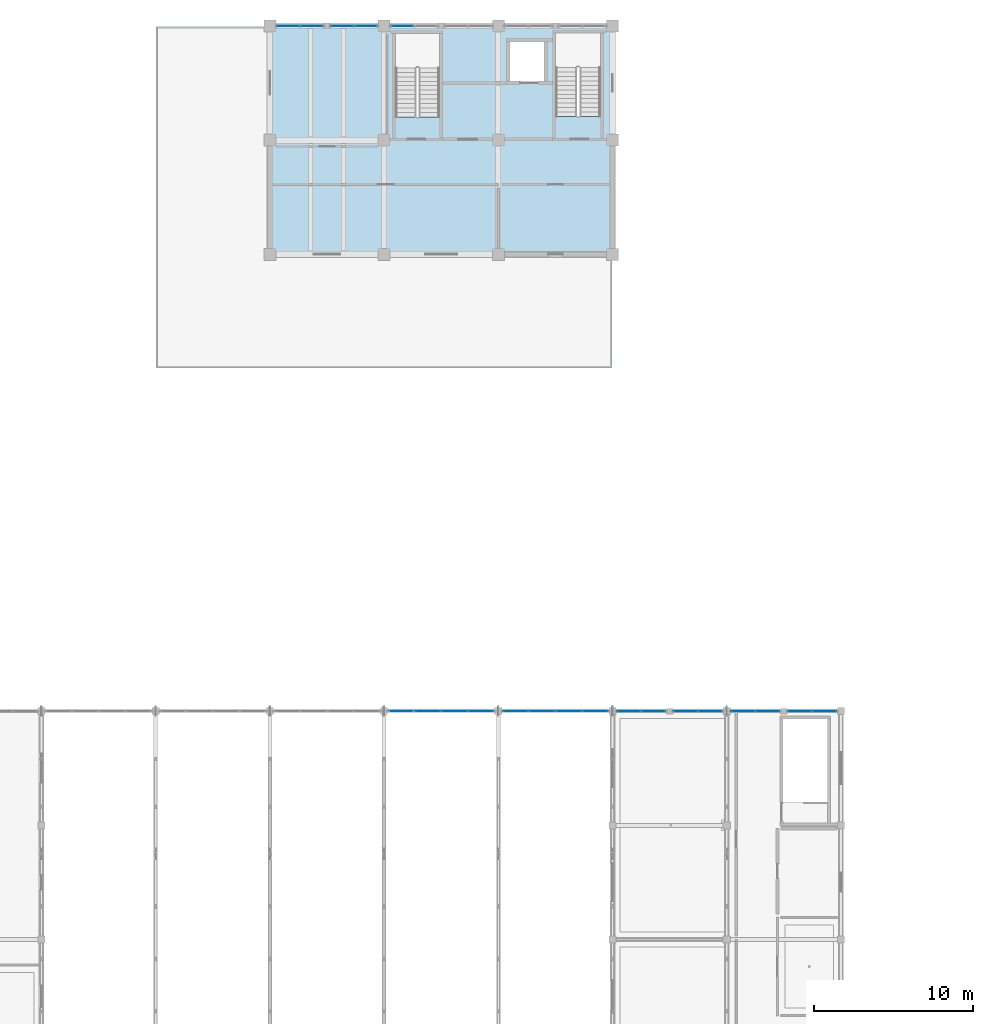
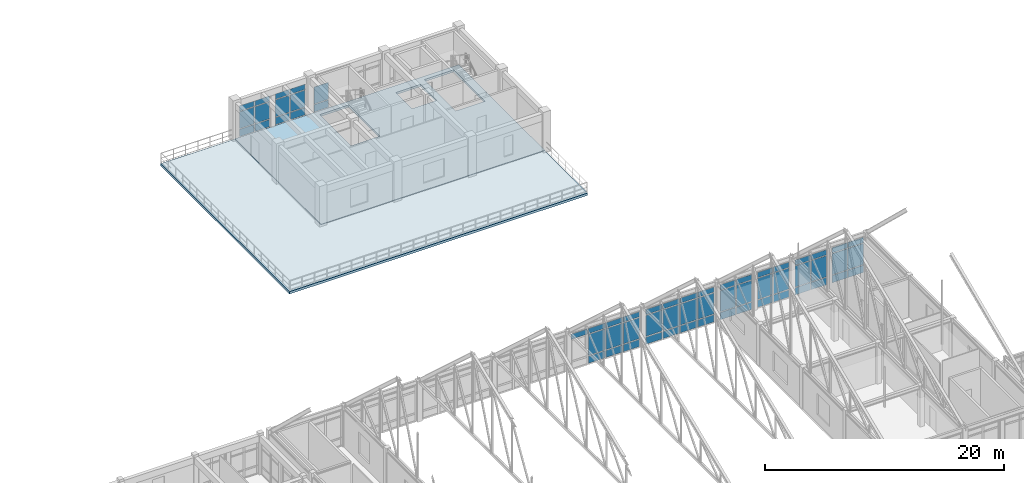
# One storey, part 84 of 136: 60 plates, 2 slabs, 9 elements without a shape of their own.
"""IFC4 building model written with IfcOpenShell, lengths in metres."""

from ifc_helpers import new_model, si_unit, direction, frame, origin, origin_2d, place, context, subcontext, project, spatial, polyline, rectangle, outline, extrude, material, layer, layer_set, type_object, element, aggregate, save


model = new_model("IFC4")

# Units and contexts
model_context = context("Model", 3, precision=1e-05, world=origin(), true_north=direction((0.0, 1.0)))
body_context = subcontext(model_context, "Body", "Model", "MODEL_VIEW")
ifc_project = project(units=[si_unit("LENGTHUNIT", "METRE"), si_unit("AREAUNIT", "SQUARE_METRE"), si_unit("VOLUMEUNIT", "CUBIC_METRE"), si_unit("PLANEANGLEUNIT", "RADIAN"), si_unit("MASSUNIT", "GRAM", prefix="KILO")], contexts=[model_context])

# Site, building, storey
site_placement = place(None, origin())
site = spatial("IfcSite", under=ifc_project, at=site_placement, CompositionType="ELEMENT")
building_placement = place(site_placement, origin())
building = spatial("IfcBuilding", under=site, at=building_placement, Name="Koriwan Promenade Central Fire Station", CompositionType="ELEMENT")
storey_placement = place(building_placement, frame((0.0, 0.0, 5.39990234375)))
storey = spatial("IfcBuildingStorey", under=building, at=storey_placement, Name="L01", CompositionType="ELEMENT", Elevation=5.39990234375)

# Curtain wall, plates
ifc_material_1 = material(Name="Aluminium EN AW-6063-T6 and low-E glazing", Category="aluminium")
ifc_layer_1 = layer(ifc_material_1, 0.159912109375, Name="Aluminium EN AW-6063-T6 and low-E glazing")
ifc_layer_set_1 = layer_set([ifc_layer_1], Name="Aluminium EN AW-6063-T6 and low-E glazing")
curtain_wall_type_1 = type_object("IfcCurtainWallType", Name="CurtainWall_93_675x372", PredefinedType="USERDEFINED", material=ifc_layer_set_1)
curtain_wall_1_placement = place(storey_placement, origin())
curtain_wall_1 = element("IfcCurtainWall", 1, at=curtain_wall_1_placement, inside=storey, type_object=curtain_wall_type_1, Name="V1 L01 unitised curtain wall 296", ObjectType="UNITISED CURTAIN WALL", PredefinedType="USERDEFINED")
ifc_material_2 = material(Name="Low-E laminated double glazing", Category="glass")
ifc_layer_2 = layer(ifc_material_2, 0.028076171875, Name="Low-E laminated double glazing")
ifc_layer_set_2 = layer_set([ifc_layer_2], Name="Low-E laminated double glazing")
plate_type_1 = type_object("IfcPlateType", Name="CWPanel_28", PredefinedType="CURTAIN_PANEL", material=ifc_layer_set_2)
plate_1_placement = place(storey_placement, frame((87.48876953125, 72.0, 3.11083984375), z_axis=(0.0, 0.0, 1.0), x_axis=(1.0, 0.0, 0.0)))
plate_1 = element("IfcPlate", 2, at=plate_1_placement, type_object=plate_type_1, Name="CW-93 panel 1.3", PredefinedType="CURTAIN_PANEL", context=body_context, shape_type="SweptSolid", body=[
    extrude(rectangle(XDim=1.5673828125, YDim=0.028076171875, at=origin_2d()), origin(), (0.0, 0.0, 1.0), 0.530029296875),
])
plate_2_placement = place(storey_placement, frame((89.15625, 72.0, 0.080078125), z_axis=(0.0, 0.0, 1.0), x_axis=(1.0, 0.0, 0.0)))
plate_2 = element("IfcPlate", 3, at=plate_2_placement, type_object=plate_type_1, Name="CW-93 panel 2.1", PredefinedType="CURTAIN_PANEL", context=body_context, shape_type="SweptSolid", body=[
    extrude(rectangle(XDim=1.607421875, YDim=0.028076171875, at=origin_2d()), origin(), (0.0, 0.0, 1.0), 0.72998046875),
])
plate_3_placement = place(storey_placement, frame((89.15625, 72.0, 0.89013671875), z_axis=(0.0, 0.0, 1.0), x_axis=(1.0, 0.0, 0.0)))
plate_3 = element("IfcPlate", 4, at=plate_3_placement, type_object=plate_type_1, Name="CW-93 panel 2.2", PredefinedType="CURTAIN_PANEL", context=body_context, shape_type="SweptSolid", body=[
    extrude(rectangle(XDim=1.607421875, YDim=0.028076171875, at=origin_2d()), origin(), (0.0, 0.0, 1.0), 2.14111328125),
])
plate_4_placement = place(storey_placement, frame((89.15625, 72.0, 3.11083984375), z_axis=(0.0, 0.0, 1.0), x_axis=(1.0, 0.0, 0.0)))
plate_4 = element("IfcPlate", 5, at=plate_4_placement, type_object=plate_type_1, Name="CW-93 panel 2.3", PredefinedType="CURTAIN_PANEL", context=body_context, shape_type="SweptSolid", body=[
    extrude(rectangle(XDim=1.607421875, YDim=0.028076171875, at=origin_2d()), origin(), (0.0, 0.0, 1.0), 0.530029296875),
])
plate_5_placement = place(storey_placement, frame((90.84375, 72.0, 0.080078125), z_axis=(0.0, 0.0, 1.0), x_axis=(1.0, 0.0, 0.0)))
plate_5 = element("IfcPlate", 6, at=plate_5_placement, type_object=plate_type_1, Name="CW-93 panel 3.1", PredefinedType="CURTAIN_PANEL", context=body_context, shape_type="SweptSolid", body=[
    extrude(rectangle(XDim=1.607421875, YDim=0.028076171875, at=origin_2d()), origin(), (0.0, 0.0, 1.0), 0.72998046875),
])
plate_6_placement = place(storey_placement, frame((90.84375, 72.0, 0.89013671875), z_axis=(0.0, 0.0, 1.0), x_axis=(1.0, 0.0, 0.0)))
plate_6 = element("IfcPlate", 7, at=plate_6_placement, type_object=plate_type_1, Name="CW-93 panel 3.2", PredefinedType="CURTAIN_PANEL", context=body_context, shape_type="SweptSolid", body=[
    extrude(rectangle(XDim=1.607421875, YDim=0.028076171875, at=origin_2d()), origin(), (0.0, 0.0, 1.0), 2.14111328125),
])
plate_7_placement = place(storey_placement, frame((90.84375, 72.0, 3.11083984375), z_axis=(0.0, 0.0, 1.0), x_axis=(1.0, 0.0, 0.0)))
plate_7 = element("IfcPlate", 8, at=plate_7_placement, type_object=plate_type_1, Name="CW-93 panel 3.3", PredefinedType="CURTAIN_PANEL", context=body_context, shape_type="SweptSolid", body=[
    extrude(rectangle(XDim=1.607421875, YDim=0.028076171875, at=origin_2d()), origin(), (0.0, 0.0, 1.0), 0.530029296875),
])
plate_8_placement = place(storey_placement, frame((92.51123046875, 72.0, 0.080078125), z_axis=(0.0, 0.0, 1.0), x_axis=(1.0, 0.0, 0.0)))
plate_8 = element("IfcPlate", 9, at=plate_8_placement, type_object=plate_type_1, Name="CW-93 panel 4.1", PredefinedType="CURTAIN_PANEL", context=body_context, shape_type="SweptSolid", body=[
    extrude(rectangle(XDim=1.5673828125, YDim=0.028076171875, at=origin_2d()), origin(), (0.0, 0.0, 1.0), 0.72998046875),
])
plate_9_placement = place(storey_placement, frame((92.51123046875, 72.0, 0.89013671875), z_axis=(0.0, 0.0, 1.0), x_axis=(1.0, 0.0, 0.0)))
plate_9 = element("IfcPlate", 10, at=plate_9_placement, type_object=plate_type_1, Name="CW-93 panel 4.2", PredefinedType="CURTAIN_PANEL", context=body_context, shape_type="SweptSolid", body=[
    extrude(rectangle(XDim=1.5673828125, YDim=0.028076171875, at=origin_2d()), origin(), (0.0, 0.0, 1.0), 2.14111328125),
])
plate_10_placement = place(storey_placement, frame((92.51123046875, 72.0, 3.11083984375), z_axis=(0.0, 0.0, 1.0), x_axis=(1.0, 0.0, 0.0)))
plate_10 = element("IfcPlate", 11, at=plate_10_placement, type_object=plate_type_1, Name="CW-93 panel 4.3", PredefinedType="CURTAIN_PANEL", context=body_context, shape_type="SweptSolid", body=[
    extrude(rectangle(XDim=1.5673828125, YDim=0.028076171875, at=origin_2d()), origin(), (0.0, 0.0, 1.0), 0.530029296875),
])
aggregate(curtain_wall_1, [plate_1, plate_2, plate_3, plate_4, plate_5, plate_6, plate_7, plate_8, plate_9, plate_10])

curtain_wall_2_placement = place(storey_placement, origin())
curtain_wall_2 = element("IfcCurtainWall", 12, at=curtain_wall_2_placement, inside=storey, type_object=curtain_wall_type_1, Name="V1 L01 unitised curtain wall 298", ObjectType="UNITISED CURTAIN WALL", PredefinedType="USERDEFINED")
plate_11_placement = place(storey_placement, frame((94.688720703125, 72.0, 0.080078125), z_axis=(0.0, 0.0, 1.0), x_axis=(1.0, 0.0, 0.0)))
plate_11 = element("IfcPlate", 13, at=plate_11_placement, type_object=plate_type_1, Name="CW-93 panel 1.1", PredefinedType="CURTAIN_PANEL", context=body_context, shape_type="SweptSolid", body=[
    extrude(rectangle(XDim=1.5673828125, YDim=0.028076171875, at=origin_2d()), origin(), (0.0, 0.0, 1.0), 0.72998046875),
])
plate_12_placement = place(storey_placement, frame((94.688720703125, 72.0, 0.89013671875), z_axis=(0.0, 0.0, 1.0), x_axis=(1.0, 0.0, 0.0)))
plate_12 = element("IfcPlate", 14, at=plate_12_placement, type_object=plate_type_1, Name="CW-93 panel 1.2", PredefinedType="CURTAIN_PANEL", context=body_context, shape_type="SweptSolid", body=[
    extrude(rectangle(XDim=1.5673828125, YDim=0.028076171875, at=origin_2d()), origin(), (0.0, 0.0, 1.0), 2.14111328125),
])
plate_13_placement = place(storey_placement, frame((94.688720703125, 72.0, 3.11083984375), z_axis=(0.0, 0.0, 1.0), x_axis=(1.0, 0.0, 0.0)))
plate_13 = element("IfcPlate", 15, at=plate_13_placement, type_object=plate_type_1, Name="CW-93 panel 1.3", PredefinedType="CURTAIN_PANEL", context=body_context, shape_type="SweptSolid", body=[
    extrude(rectangle(XDim=1.5673828125, YDim=0.028076171875, at=origin_2d()), origin(), (0.0, 0.0, 1.0), 0.530029296875),
])
plate_14_placement = place(storey_placement, frame((96.356201171875, 72.0, 0.080078125), z_axis=(0.0, 0.0, 1.0), x_axis=(1.0, 0.0, 0.0)))
plate_14 = element("IfcPlate", 16, at=plate_14_placement, type_object=plate_type_1, Name="CW-93 panel 2.1", PredefinedType="CURTAIN_PANEL", context=body_context, shape_type="SweptSolid", body=[
    extrude(rectangle(XDim=1.607421875, YDim=0.028076171875, at=origin_2d()), origin(), (0.0, 0.0, 1.0), 0.72998046875),
])
plate_15_placement = place(storey_placement, frame((96.356201171875, 72.0, 0.89013671875), z_axis=(0.0, 0.0, 1.0), x_axis=(1.0, 0.0, 0.0)))
plate_15 = element("IfcPlate", 17, at=plate_15_placement, type_object=plate_type_1, Name="CW-93 panel 2.2", PredefinedType="CURTAIN_PANEL", context=body_context, shape_type="SweptSolid", body=[
    extrude(rectangle(XDim=1.607421875, YDim=0.028076171875, at=origin_2d()), origin(), (0.0, 0.0, 1.0), 2.14111328125),
])
plate_16_placement = place(storey_placement, frame((96.356201171875, 72.0, 3.11083984375), z_axis=(0.0, 0.0, 1.0), x_axis=(1.0, 0.0, 0.0)))
plate_16 = element("IfcPlate", 18, at=plate_16_placement, type_object=plate_type_1, Name="CW-93 panel 2.3", PredefinedType="CURTAIN_PANEL", context=body_context, shape_type="SweptSolid", body=[
    extrude(rectangle(XDim=1.607421875, YDim=0.028076171875, at=origin_2d()), origin(), (0.0, 0.0, 1.0), 0.530029296875),
])
plate_17_placement = place(storey_placement, frame((98.043701171875, 72.0, 0.080078125), z_axis=(0.0, 0.0, 1.0), x_axis=(1.0, 0.0, 0.0)))
plate_17 = element("IfcPlate", 19, at=plate_17_placement, type_object=plate_type_1, Name="CW-93 panel 3.1", PredefinedType="CURTAIN_PANEL", context=body_context, shape_type="SweptSolid", body=[
    extrude(rectangle(XDim=1.607421875, YDim=0.028076171875, at=origin_2d()), origin(), (0.0, 0.0, 1.0), 0.72998046875),
])
plate_18_placement = place(storey_placement, frame((98.043701171875, 72.0, 0.89013671875), z_axis=(0.0, 0.0, 1.0), x_axis=(1.0, 0.0, 0.0)))
plate_18 = element("IfcPlate", 20, at=plate_18_placement, type_object=plate_type_1, Name="CW-93 panel 3.2", PredefinedType="CURTAIN_PANEL", context=body_context, shape_type="SweptSolid", body=[
    extrude(rectangle(XDim=1.607421875, YDim=0.028076171875, at=origin_2d()), origin(), (0.0, 0.0, 1.0), 2.14111328125),
])
plate_19_placement = place(storey_placement, frame((98.043701171875, 72.0, 3.11083984375), z_axis=(0.0, 0.0, 1.0), x_axis=(1.0, 0.0, 0.0)))
plate_19 = element("IfcPlate", 21, at=plate_19_placement, type_object=plate_type_1, Name="CW-93 panel 3.3", PredefinedType="CURTAIN_PANEL", context=body_context, shape_type="SweptSolid", body=[
    extrude(rectangle(XDim=1.607421875, YDim=0.028076171875, at=origin_2d()), origin(), (0.0, 0.0, 1.0), 0.530029296875),
])
plate_20_placement = place(storey_placement, frame((99.711181640625, 72.0, 0.080078125), z_axis=(0.0, 0.0, 1.0), x_axis=(1.0, 0.0, 0.0)))
plate_20 = element("IfcPlate", 22, at=plate_20_placement, type_object=plate_type_1, Name="CW-93 panel 4.1", PredefinedType="CURTAIN_PANEL", context=body_context, shape_type="SweptSolid", body=[
    extrude(rectangle(XDim=1.5673828125, YDim=0.028076171875, at=origin_2d()), origin(), (0.0, 0.0, 1.0), 0.72998046875),
])
plate_21_placement = place(storey_placement, frame((99.711181640625, 72.0, 0.89013671875), z_axis=(0.0, 0.0, 1.0), x_axis=(1.0, 0.0, 0.0)))
plate_21 = element("IfcPlate", 23, at=plate_21_placement, type_object=plate_type_1, Name="CW-93 panel 4.2", PredefinedType="CURTAIN_PANEL", context=body_context, shape_type="SweptSolid", body=[
    extrude(rectangle(XDim=1.5673828125, YDim=0.028076171875, at=origin_2d()), origin(), (0.0, 0.0, 1.0), 2.14111328125),
])
plate_22_placement = place(storey_placement, frame((99.711181640625, 72.0, 3.11083984375), z_axis=(0.0, 0.0, 1.0), x_axis=(1.0, 0.0, 0.0)))
plate_22 = element("IfcPlate", 24, at=plate_22_placement, type_object=plate_type_1, Name="CW-93 panel 4.3", PredefinedType="CURTAIN_PANEL", context=body_context, shape_type="SweptSolid", body=[
    extrude(rectangle(XDim=1.5673828125, YDim=0.028076171875, at=origin_2d()), origin(), (0.0, 0.0, 1.0), 0.530029296875),
])
aggregate(curtain_wall_2, [plate_11, plate_12, plate_13, plate_14, plate_15, plate_16, plate_17, plate_18, plate_19, plate_20, plate_21, plate_22])

ifc_layer_3 = layer(ifc_material_1, 0.159912109375, Name="Aluminium EN AW-6063-T6 and low-E glazing")
ifc_layer_set_3 = layer_set([ifc_layer_3], Name="Aluminium EN AW-6063-T6 and low-E glazing")
curtain_wall_type_2 = type_object("IfcCurtainWallType", Name="CurtainWall_01_317x372", PredefinedType="USERDEFINED", material=ifc_layer_set_3)
curtain_wall_3_placement = place(storey_placement, origin())
curtain_wall_3 = element("IfcCurtainWall", 25, at=curtain_wall_3_placement, inside=storey, type_object=curtain_wall_type_2, Name="V1 L01 unitised curtain wall 005", ObjectType="UNITISED CURTAIN WALL", PredefinedType="USERDEFINED")
ifc_material_3 = material(Name="Solar-control low-E acoustic glazing", Category="glass")
ifc_layer_4 = layer(ifc_material_3, 0.031982421875, Name="Solar-control low-E acoustic glazing")
ifc_layer_set_4 = layer_set([ifc_layer_4], Name="Solar-control low-E acoustic glazing")
plate_type_2 = type_object("IfcPlateType", Name="CWPanel_32", PredefinedType="CURTAIN_PANEL", material=ifc_layer_set_4)
plate_23_placement = place(storey_placement, frame((101.83740234375, 72.0, 0.0751953125), z_axis=(0.0, 0.0, 1.0), x_axis=(1.0, 0.0, 0.0)))
plate_23 = element("IfcPlate", 26, at=plate_23_placement, type_object=plate_type_2, Name="CW-01 panel 1.1", PredefinedType="CURTAIN_PANEL", context=body_context, shape_type="SweptSolid", body=[
    extrude(rectangle(XDim=1.47509765625, YDim=0.031982421875, at=origin_2d()), origin(), (0.0, 0.0, 1.0), 0.737548828125),
])
plate_24_placement = place(storey_placement, frame((101.83740234375, 72.0, 0.8876953125), z_axis=(0.0, 0.0, 1.0), x_axis=(1.0, 0.0, 0.0)))
plate_24 = element("IfcPlate", 27, at=plate_24_placement, type_object=plate_type_2, Name="CW-01 panel 1.2", PredefinedType="CURTAIN_PANEL", context=body_context, shape_type="SweptSolid", body=[
    extrude(rectangle(XDim=1.47509765625, YDim=0.031982421875, at=origin_2d()), origin(), (0.0, 0.0, 1.0), 2.14599609375),
])
plate_25_placement = place(storey_placement, frame((101.83740234375, 72.0, 3.108642578125), z_axis=(0.0, 0.0, 1.0), x_axis=(1.0, 0.0, 0.0)))
plate_25 = element("IfcPlate", 28, at=plate_25_placement, type_object=plate_type_2, Name="CW-01 panel 1.3", PredefinedType="CURTAIN_PANEL", context=body_context, shape_type="SweptSolid", body=[
    extrude(rectangle(XDim=1.47509765625, YDim=0.031982421875, at=origin_2d()), origin(), (0.0, 0.0, 1.0), 0.53759765625),
])
plate_26_placement = place(storey_placement, frame((103.387451171875, 72.0, 0.0751953125), z_axis=(0.0, 0.0, 1.0), x_axis=(1.0, 0.0, 0.0)))
plate_26 = element("IfcPlate", 29, at=plate_26_placement, type_object=plate_type_2, Name="CW-01 panel 2.1", PredefinedType="CURTAIN_PANEL", context=body_context, shape_type="SweptSolid", body=[
    extrude(rectangle(XDim=1.47509765625, YDim=0.031982421875, at=origin_2d()), origin(), (0.0, 0.0, 1.0), 0.737548828125),
])
plate_27_placement = place(storey_placement, frame((103.387451171875, 72.0, 0.8876953125), z_axis=(0.0, 0.0, 1.0), x_axis=(1.0, 0.0, 0.0)))
plate_27 = element("IfcPlate", 30, at=plate_27_placement, type_object=plate_type_2, Name="CW-01 panel 2.2", PredefinedType="CURTAIN_PANEL", context=body_context, shape_type="SweptSolid", body=[
    extrude(rectangle(XDim=1.47509765625, YDim=0.031982421875, at=origin_2d()), origin(), (0.0, 0.0, 1.0), 2.14599609375),
])
plate_28_placement = place(storey_placement, frame((103.387451171875, 72.0, 3.108642578125), z_axis=(0.0, 0.0, 1.0), x_axis=(1.0, 0.0, 0.0)))
plate_28 = element("IfcPlate", 31, at=plate_28_placement, type_object=plate_type_2, Name="CW-01 panel 2.3", PredefinedType="CURTAIN_PANEL", context=body_context, shape_type="SweptSolid", body=[
    extrude(rectangle(XDim=1.47509765625, YDim=0.031982421875, at=origin_2d()), origin(), (0.0, 0.0, 1.0), 0.53759765625),
])
aggregate(curtain_wall_3, [plate_23, plate_24, plate_25, plate_26, plate_27, plate_28])

ifc_layer_5 = layer(ifc_material_1, 0.159912109375, Name="Aluminium EN AW-6063-T6 and low-E glazing")
ifc_layer_set_5 = layer_set([ifc_layer_5], Name="Aluminium EN AW-6063-T6 and low-E glazing")
curtain_wall_type_3 = type_object("IfcCurtainWallType", Name="CurtainWall_02_318x372", PredefinedType="USERDEFINED", material=ifc_layer_set_5)
curtain_wall_4_placement = place(storey_placement, origin())
curtain_wall_4 = element("IfcCurtainWall", 32, at=curtain_wall_4_placement, inside=storey, type_object=curtain_wall_type_3, Name="V1 L01 unitised curtain wall 006", ObjectType="UNITISED CURTAIN WALL", PredefinedType="USERDEFINED")
plate_29_placement = place(storey_placement, frame((105.41259765625, 72.0, 0.0751953125), z_axis=(0.0, 0.0, 1.0), x_axis=(1.0, 0.0, 0.0)))
plate_29 = element("IfcPlate", 33, at=plate_29_placement, type_object=plate_type_2, Name="CW-02 panel 1.1", PredefinedType="CURTAIN_PANEL", context=body_context, shape_type="SweptSolid", body=[
    extrude(rectangle(XDim=1.47509765625, YDim=0.031982421875, at=origin_2d()), origin(), (0.0, 0.0, 1.0), 0.737548828125),
])
plate_30_placement = place(storey_placement, frame((105.41259765625, 72.0, 0.8876953125), z_axis=(0.0, 0.0, 1.0), x_axis=(1.0, 0.0, 0.0)))
plate_30 = element("IfcPlate", 34, at=plate_30_placement, type_object=plate_type_2, Name="CW-02 panel 1.2", PredefinedType="CURTAIN_PANEL", context=body_context, shape_type="SweptSolid", body=[
    extrude(rectangle(XDim=1.47509765625, YDim=0.031982421875, at=origin_2d()), origin(), (0.0, 0.0, 1.0), 2.14599609375),
])
plate_31_placement = place(storey_placement, frame((105.41259765625, 72.0, 3.108642578125), z_axis=(0.0, 0.0, 1.0), x_axis=(1.0, 0.0, 0.0)))
plate_31 = element("IfcPlate", 35, at=plate_31_placement, type_object=plate_type_2, Name="CW-02 panel 1.3", PredefinedType="CURTAIN_PANEL", context=body_context, shape_type="SweptSolid", body=[
    extrude(rectangle(XDim=1.47509765625, YDim=0.031982421875, at=origin_2d()), origin(), (0.0, 0.0, 1.0), 0.53759765625),
])
plate_32_placement = place(storey_placement, frame((106.96240234375, 72.0, 0.0751953125), z_axis=(0.0, 0.0, 1.0), x_axis=(1.0, 0.0, 0.0)))
plate_32 = element("IfcPlate", 36, at=plate_32_placement, type_object=plate_type_2, Name="CW-02 panel 2.1", PredefinedType="CURTAIN_PANEL", context=body_context, shape_type="SweptSolid", body=[
    extrude(rectangle(XDim=1.47509765625, YDim=0.031982421875, at=origin_2d()), origin(), (0.0, 0.0, 1.0), 0.737548828125),
])
plate_33_placement = place(storey_placement, frame((106.96240234375, 72.0, 0.8876953125), z_axis=(0.0, 0.0, 1.0), x_axis=(1.0, 0.0, 0.0)))
plate_33 = element("IfcPlate", 37, at=plate_33_placement, type_object=plate_type_2, Name="CW-02 panel 2.2", PredefinedType="CURTAIN_PANEL", context=body_context, shape_type="SweptSolid", body=[
    extrude(rectangle(XDim=1.47509765625, YDim=0.031982421875, at=origin_2d()), origin(), (0.0, 0.0, 1.0), 2.14599609375),
])
plate_34_placement = place(storey_placement, frame((106.96240234375, 72.0, 3.108642578125), z_axis=(0.0, 0.0, 1.0), x_axis=(1.0, 0.0, 0.0)))
plate_34 = element("IfcPlate", 38, at=plate_34_placement, type_object=plate_type_2, Name="CW-02 panel 2.3", PredefinedType="CURTAIN_PANEL", context=body_context, shape_type="SweptSolid", body=[
    extrude(rectangle(XDim=1.47509765625, YDim=0.031982421875, at=origin_2d()), origin(), (0.0, 0.0, 1.0), 0.53759765625),
])
aggregate(curtain_wall_4, [plate_29, plate_30, plate_31, plate_32, plate_33, plate_34])

curtain_wall_5_placement = place(storey_placement, origin())
curtain_wall_5 = element("IfcCurtainWall", 39, at=curtain_wall_5_placement, inside=storey, type_object=curtain_wall_type_3, Name="V1 L01 unitised curtain wall 007", ObjectType="UNITISED CURTAIN WALL", PredefinedType="USERDEFINED")
plate_35_placement = place(storey_placement, frame((109.03759765625, 72.0, 0.0751953125), z_axis=(0.0, 0.0, 1.0), x_axis=(1.0, 0.0, 0.0)))
plate_35 = element("IfcPlate", 40, at=plate_35_placement, type_object=plate_type_2, Name="CW-02 panel 1.1", PredefinedType="CURTAIN_PANEL", context=body_context, shape_type="SweptSolid", body=[
    extrude(rectangle(XDim=1.47509765625, YDim=0.031982421875, at=origin_2d()), origin(), (0.0, 0.0, 1.0), 0.737548828125),
])
plate_36_placement = place(storey_placement, frame((109.03759765625, 72.0, 0.8876953125), z_axis=(0.0, 0.0, 1.0), x_axis=(1.0, 0.0, 0.0)))
plate_36 = element("IfcPlate", 41, at=plate_36_placement, type_object=plate_type_2, Name="CW-02 panel 1.2", PredefinedType="CURTAIN_PANEL", context=body_context, shape_type="SweptSolid", body=[
    extrude(rectangle(XDim=1.47509765625, YDim=0.031982421875, at=origin_2d()), origin(), (0.0, 0.0, 1.0), 2.14599609375),
])
plate_37_placement = place(storey_placement, frame((109.03759765625, 72.0, 3.108642578125), z_axis=(0.0, 0.0, 1.0), x_axis=(1.0, 0.0, 0.0)))
plate_37 = element("IfcPlate", 42, at=plate_37_placement, type_object=plate_type_2, Name="CW-02 panel 1.3", PredefinedType="CURTAIN_PANEL", context=body_context, shape_type="SweptSolid", body=[
    extrude(rectangle(XDim=1.47509765625, YDim=0.031982421875, at=origin_2d()), origin(), (0.0, 0.0, 1.0), 0.53759765625),
])
plate_38_placement = place(storey_placement, frame((110.58740234375, 72.0, 0.0751953125), z_axis=(0.0, 0.0, 1.0), x_axis=(1.0, 0.0, 0.0)))
plate_38 = element("IfcPlate", 43, at=plate_38_placement, type_object=plate_type_2, Name="CW-02 panel 2.1", PredefinedType="CURTAIN_PANEL", context=body_context, shape_type="SweptSolid", body=[
    extrude(rectangle(XDim=1.47509765625, YDim=0.031982421875, at=origin_2d()), origin(), (0.0, 0.0, 1.0), 0.737548828125),
])
plate_39_placement = place(storey_placement, frame((110.58740234375, 72.0, 0.8876953125), z_axis=(0.0, 0.0, 1.0), x_axis=(1.0, 0.0, 0.0)))
plate_39 = element("IfcPlate", 44, at=plate_39_placement, type_object=plate_type_2, Name="CW-02 panel 2.2", PredefinedType="CURTAIN_PANEL", context=body_context, shape_type="SweptSolid", body=[
    extrude(rectangle(XDim=1.47509765625, YDim=0.031982421875, at=origin_2d()), origin(), (0.0, 0.0, 1.0), 2.14599609375),
])
plate_40_placement = place(storey_placement, frame((110.58740234375, 72.0, 3.108642578125), z_axis=(0.0, 0.0, 1.0), x_axis=(1.0, 0.0, 0.0)))
plate_40 = element("IfcPlate", 45, at=plate_40_placement, type_object=plate_type_2, Name="CW-02 panel 2.3", PredefinedType="CURTAIN_PANEL", context=body_context, shape_type="SweptSolid", body=[
    extrude(rectangle(XDim=1.47509765625, YDim=0.031982421875, at=origin_2d()), origin(), (0.0, 0.0, 1.0), 0.53759765625),
])
aggregate(curtain_wall_5, [plate_35, plate_36, plate_37, plate_38, plate_39, plate_40])

curtain_wall_6_placement = place(storey_placement, origin())
curtain_wall_6 = element("IfcCurtainWall", 46, at=curtain_wall_6_placement, inside=storey, type_object=curtain_wall_type_2, Name="V1 L01 unitised curtain wall 008", ObjectType="UNITISED CURTAIN WALL", PredefinedType="USERDEFINED")
plate_41_placement = place(storey_placement, frame((112.612548828125, 72.0, 0.0751953125), z_axis=(0.0, 0.0, 1.0), x_axis=(1.0, 0.0, 0.0)))
plate_41 = element("IfcPlate", 47, at=plate_41_placement, type_object=plate_type_2, Name="CW-01 panel 1.1", PredefinedType="CURTAIN_PANEL", context=body_context, shape_type="SweptSolid", body=[
    extrude(rectangle(XDim=1.47509765625, YDim=0.031982421875, at=origin_2d()), origin(), (0.0, 0.0, 1.0), 0.737548828125),
])
plate_42_placement = place(storey_placement, frame((112.612548828125, 72.0, 0.8876953125), z_axis=(0.0, 0.0, 1.0), x_axis=(1.0, 0.0, 0.0)))
plate_42 = element("IfcPlate", 48, at=plate_42_placement, type_object=plate_type_2, Name="CW-01 panel 1.2", PredefinedType="CURTAIN_PANEL", context=body_context, shape_type="SweptSolid", body=[
    extrude(rectangle(XDim=1.47509765625, YDim=0.031982421875, at=origin_2d()), origin(), (0.0, 0.0, 1.0), 2.14599609375),
])
plate_43_placement = place(storey_placement, frame((112.612548828125, 72.0, 3.108642578125), z_axis=(0.0, 0.0, 1.0), x_axis=(1.0, 0.0, 0.0)))
plate_43 = element("IfcPlate", 49, at=plate_43_placement, type_object=plate_type_2, Name="CW-01 panel 1.3", PredefinedType="CURTAIN_PANEL", context=body_context, shape_type="SweptSolid", body=[
    extrude(rectangle(XDim=1.47509765625, YDim=0.031982421875, at=origin_2d()), origin(), (0.0, 0.0, 1.0), 0.53759765625),
])
plate_44_placement = place(storey_placement, frame((114.16259765625, 72.0, 0.0751953125), z_axis=(0.0, 0.0, 1.0), x_axis=(1.0, 0.0, 0.0)))
plate_44 = element("IfcPlate", 50, at=plate_44_placement, type_object=plate_type_2, Name="CW-01 panel 2.1", PredefinedType="CURTAIN_PANEL", context=body_context, shape_type="SweptSolid", body=[
    extrude(rectangle(XDim=1.47509765625, YDim=0.031982421875, at=origin_2d()), origin(), (0.0, 0.0, 1.0), 0.737548828125),
])
plate_45_placement = place(storey_placement, frame((114.16259765625, 72.0, 0.8876953125), z_axis=(0.0, 0.0, 1.0), x_axis=(1.0, 0.0, 0.0)))
plate_45 = element("IfcPlate", 51, at=plate_45_placement, type_object=plate_type_2, Name="CW-01 panel 2.2", PredefinedType="CURTAIN_PANEL", context=body_context, shape_type="SweptSolid", body=[
    extrude(rectangle(XDim=1.47509765625, YDim=0.031982421875, at=origin_2d()), origin(), (0.0, 0.0, 1.0), 2.14599609375),
])
plate_46_placement = place(storey_placement, frame((114.16259765625, 72.0, 3.108642578125), z_axis=(0.0, 0.0, 1.0), x_axis=(1.0, 0.0, 0.0)))
plate_46 = element("IfcPlate", 52, at=plate_46_placement, type_object=plate_type_2, Name="CW-01 panel 2.3", PredefinedType="CURTAIN_PANEL", context=body_context, shape_type="SweptSolid", body=[
    extrude(rectangle(XDim=1.47509765625, YDim=0.031982421875, at=origin_2d()), origin(), (0.0, 0.0, 1.0), 0.53759765625),
])
aggregate(curtain_wall_6, [plate_41, plate_42, plate_43, plate_44, plate_45, plate_46])

ifc_layer_6 = layer(ifc_material_1, 0.159912109375, Name="Aluminium EN AW-6063-T6 and low-E glazing")
ifc_layer_set_6 = layer_set([ifc_layer_6], Name="Aluminium EN AW-6063-T6 and low-E glazing")
curtain_wall_type_4 = type_object("IfcCurtainWallType", Name="CurtainWall_07_302x329", PredefinedType="USERDEFINED", material=ifc_layer_set_6)
curtain_wall_7_placement = place(storey_placement, origin())
curtain_wall_7 = element("IfcCurtainWall", 53, at=curtain_wall_7_placement, inside=storey, type_object=curtain_wall_type_4, Name="V2 L01 unitised curtain wall 024", ObjectType="UNITISED CURTAIN WALL", PredefinedType="USERDEFINED")
plate_47_placement = place(storey_placement, frame((87.550048828125, 115.199951171875, 0.0751953125), z_axis=(0.0, 0.0, 1.0), x_axis=(-1.0, 0.0, 0.0)))
plate_47 = element("IfcPlate", 54, at=plate_47_placement, type_object=plate_type_2, Name="CW-07 panel 2.1", PredefinedType="CURTAIN_PANEL", context=body_context, shape_type="SweptSolid", body=[
    extrude(rectangle(XDim=1.39990234375, YDim=0.031982421875, at=origin_2d()), origin(), (0.0, 0.0, 1.0), 0.737548828125),
])
plate_48_placement = place(storey_placement, frame((87.550048828125, 115.199951171875, 0.8876953125), z_axis=(0.0, 0.0, 1.0), x_axis=(-1.0, 0.0, 0.0)))
plate_48 = element("IfcPlate", 55, at=plate_48_placement, type_object=plate_type_2, Name="CW-07 panel 2.2", PredefinedType="CURTAIN_PANEL", context=body_context, shape_type="SweptSolid", body=[
    extrude(rectangle(XDim=1.39990234375, YDim=0.031982421875, at=origin_2d()), origin(), (0.0, 0.0, 1.0), 1.715087890625),
])
aggregate(curtain_wall_7, [plate_47, plate_48])

ifc_layer_7 = layer(ifc_material_1, 0.159912109375, Name="Aluminium EN AW-6063-T6 and low-E glazing")
ifc_layer_set_7 = layer_set([ifc_layer_7], Name="Aluminium EN AW-6063-T6 and low-E glazing")
curtain_wall_type_5 = type_object("IfcCurtainWallType", Name="CurtainWall_08_303x329", PredefinedType="USERDEFINED", material=ifc_layer_set_7)
curtain_wall_8_placement = place(storey_placement, origin())
curtain_wall_8 = element("IfcCurtainWall", 56, at=curtain_wall_8_placement, inside=storey, type_object=curtain_wall_type_5, Name="V2 L01 unitised curtain wall 025", ObjectType="UNITISED CURTAIN WALL", PredefinedType="USERDEFINED")
plate_49_placement = place(storey_placement, frame((85.25, 115.199951171875, 0.0751953125), z_axis=(0.0, 0.0, 1.0), x_axis=(-1.0, 0.0, 0.0)))
plate_49 = element("IfcPlate", 57, at=plate_49_placement, type_object=plate_type_2, Name="CW-08 panel 1.1", PredefinedType="CURTAIN_PANEL", context=body_context, shape_type="SweptSolid", body=[
    extrude(rectangle(XDim=1.39990234375, YDim=0.031982421875, at=origin_2d()), origin(), (0.0, 0.0, 1.0), 0.737548828125),
])
plate_50_placement = place(storey_placement, frame((85.25, 115.199951171875, 0.8876953125), z_axis=(0.0, 0.0, 1.0), x_axis=(-1.0, 0.0, 0.0)))
plate_50 = element("IfcPlate", 58, at=plate_50_placement, type_object=plate_type_2, Name="CW-08 panel 1.2", PredefinedType="CURTAIN_PANEL", context=body_context, shape_type="SweptSolid", body=[
    extrude(rectangle(XDim=1.39990234375, YDim=0.031982421875, at=origin_2d()), origin(), (0.0, 0.0, 1.0), 1.715087890625),
])
plate_51_placement = place(storey_placement, frame((85.25, 115.199951171875, 2.677490234375), z_axis=(0.0, 0.0, 1.0), x_axis=(-1.0, 0.0, 0.0)))
plate_51 = element("IfcPlate", 59, at=plate_51_placement, type_object=plate_type_2, Name="CW-08 panel 1.3", PredefinedType="CURTAIN_PANEL", context=body_context, shape_type="SweptSolid", body=[
    extrude(rectangle(XDim=1.39990234375, YDim=0.031982421875, at=origin_2d()), origin(), (0.0, 0.0, 1.0), 0.53759765625),
])
plate_52_placement = place(storey_placement, frame((83.77490234375, 115.199951171875, 0.0751953125), z_axis=(0.0, 0.0, 1.0), x_axis=(-1.0, 0.0, 0.0)))
plate_52 = element("IfcPlate", 60, at=plate_52_placement, type_object=plate_type_2, Name="CW-08 panel 2.1", PredefinedType="CURTAIN_PANEL", context=body_context, shape_type="SweptSolid", body=[
    extrude(rectangle(XDim=1.39990234375, YDim=0.031982421875, at=origin_2d()), origin(), (0.0, 0.0, 1.0), 0.737548828125),
])
plate_53_placement = place(storey_placement, frame((83.77490234375, 115.199951171875, 0.8876953125), z_axis=(0.0, 0.0, 1.0), x_axis=(-1.0, 0.0, 0.0)))
plate_53 = element("IfcPlate", 61, at=plate_53_placement, type_object=plate_type_2, Name="CW-08 panel 2.2", PredefinedType="CURTAIN_PANEL", context=body_context, shape_type="SweptSolid", body=[
    extrude(rectangle(XDim=1.39990234375, YDim=0.031982421875, at=origin_2d()), origin(), (0.0, 0.0, 1.0), 1.715087890625),
])
plate_54_placement = place(storey_placement, frame((83.77490234375, 115.199951171875, 2.677490234375), z_axis=(0.0, 0.0, 1.0), x_axis=(-1.0, 0.0, 0.0)))
plate_54 = element("IfcPlate", 62, at=plate_54_placement, type_object=plate_type_2, Name="CW-08 panel 2.3", PredefinedType="CURTAIN_PANEL", context=body_context, shape_type="SweptSolid", body=[
    extrude(rectangle(XDim=1.39990234375, YDim=0.031982421875, at=origin_2d()), origin(), (0.0, 0.0, 1.0), 0.53759765625),
])
aggregate(curtain_wall_8, [plate_49, plate_50, plate_51, plate_52, plate_53, plate_54])

curtain_wall_9_placement = place(storey_placement, origin())
curtain_wall_9 = element("IfcCurtainWall", 63, at=curtain_wall_9_placement, inside=storey, type_object=curtain_wall_type_4, Name="V2 L01 unitised curtain wall 026", ObjectType="UNITISED CURTAIN WALL", PredefinedType="USERDEFINED")
plate_55_placement = place(storey_placement, frame((81.824951171875, 115.199951171875, 0.0751953125), z_axis=(0.0, 0.0, 1.0), x_axis=(-1.0, 0.0, 0.0)))
plate_55 = element("IfcPlate", 64, at=plate_55_placement, type_object=plate_type_2, Name="CW-07 panel 1.1", PredefinedType="CURTAIN_PANEL", context=body_context, shape_type="SweptSolid", body=[
    extrude(rectangle(XDim=1.39990234375, YDim=0.031982421875, at=origin_2d()), origin(), (0.0, 0.0, 1.0), 0.737548828125),
])
plate_56_placement = place(storey_placement, frame((81.824951171875, 115.199951171875, 0.8876953125), z_axis=(0.0, 0.0, 1.0), x_axis=(-1.0, 0.0, 0.0)))
plate_56 = element("IfcPlate", 65, at=plate_56_placement, type_object=plate_type_2, Name="CW-07 panel 1.2", PredefinedType="CURTAIN_PANEL", context=body_context, shape_type="SweptSolid", body=[
    extrude(rectangle(XDim=1.39990234375, YDim=0.031982421875, at=origin_2d()), origin(), (0.0, 0.0, 1.0), 1.715087890625),
])
plate_57_placement = place(storey_placement, frame((81.824951171875, 115.199951171875, 2.677490234375), z_axis=(0.0, 0.0, 1.0), x_axis=(-1.0, 0.0, 0.0)))
plate_57 = element("IfcPlate", 66, at=plate_57_placement, type_object=plate_type_2, Name="CW-07 panel 1.3", PredefinedType="CURTAIN_PANEL", context=body_context, shape_type="SweptSolid", body=[
    extrude(rectangle(XDim=1.39990234375, YDim=0.031982421875, at=origin_2d()), origin(), (0.0, 0.0, 1.0), 0.53759765625),
])
plate_58_placement = place(storey_placement, frame((80.35009765625, 115.199951171875, 0.0751953125), z_axis=(0.0, 0.0, 1.0), x_axis=(-1.0, 0.0, 0.0)))
plate_58 = element("IfcPlate", 67, at=plate_58_placement, type_object=plate_type_2, Name="CW-07 panel 2.1", PredefinedType="CURTAIN_PANEL", context=body_context, shape_type="SweptSolid", body=[
    extrude(rectangle(XDim=1.39990234375, YDim=0.031982421875, at=origin_2d()), origin(), (0.0, 0.0, 1.0), 0.737548828125),
])
plate_59_placement = place(storey_placement, frame((80.35009765625, 115.199951171875, 0.8876953125), z_axis=(0.0, 0.0, 1.0), x_axis=(-1.0, 0.0, 0.0)))
plate_59 = element("IfcPlate", 68, at=plate_59_placement, type_object=plate_type_2, Name="CW-07 panel 2.2", PredefinedType="CURTAIN_PANEL", context=body_context, shape_type="SweptSolid", body=[
    extrude(rectangle(XDim=1.39990234375, YDim=0.031982421875, at=origin_2d()), origin(), (0.0, 0.0, 1.0), 1.715087890625),
])
plate_60_placement = place(storey_placement, frame((80.35009765625, 115.199951171875, 2.677490234375), z_axis=(0.0, 0.0, 1.0), x_axis=(-1.0, 0.0, 0.0)))
plate_60 = element("IfcPlate", 69, at=plate_60_placement, type_object=plate_type_2, Name="CW-07 panel 2.3", PredefinedType="CURTAIN_PANEL", context=body_context, shape_type="SweptSolid", body=[
    extrude(rectangle(XDim=1.39990234375, YDim=0.031982421875, at=origin_2d()), origin(), (0.0, 0.0, 1.0), 0.53759765625),
])
aggregate(curtain_wall_9, [plate_55, plate_56, plate_57, plate_58, plate_59, plate_60])

# Slabs
ifc_material_4 = material(Name="Concrete C35/45", Category="concrete")
ifc_layer_8 = layer(ifc_material_4, 0.219970703125, Name="Concrete C35/45")
ifc_layer_set_8 = layer_set([ifc_layer_8], Name="Concrete C35/45")
slab_type_1 = type_object("IfcSlabType", Name="FloorSlab_220", PredefinedType="FLOOR", material=ifc_layer_set_8)
slab_1_placement = place(storey_placement, frame((0.0, 0.0, -0.219970703125)))
element("IfcSlab", 70, at=slab_1_placement, inside=storey, type_object=slab_type_1, Name="V2 L01 structural slab 1", PredefinedType="FLOOR", context=body_context, shape_type="SweptSolid", body=[
    extrude(outline(polyline([(100.800048828125, 115.199951171875), (100.800048828125, 100.800048828125), (79.199951171875, 100.800048828125), (79.199951171875, 115.199951171875), (100.800048828125, 115.199951171875)]), holes=[polyline([(100.050048828125, 109.491943359375), (100.050048828125, 114.75), (97.219970703125, 114.75), (97.219970703125, 109.491943359375), (100.050048828125, 109.491943359375)]), polyline([(87.110107421875, 109.471923828125), (89.89990234375, 109.471923828125), (89.89990234375, 114.7099609375), (87.110107421875, 114.7099609375), (87.110107421875, 109.471923828125)]), polyline([(96.60009765625, 114.300048828125), (94.199951171875, 114.300048828125), (94.199951171875, 111.60009765625), (96.60009765625, 111.60009765625), (96.60009765625, 114.300048828125)])]), origin(), (0.0, 0.0, 1.0), 0.219970703125),
])
ifc_layer_9 = layer(ifc_material_4, 0.239990234375, Name="Concrete C35/45")
ifc_layer_set_9 = layer_set([ifc_layer_9], Name="Concrete C35/45")
slab_type_2 = type_object("IfcSlabType", Name="TerraceSlab_240", PredefinedType="FLOOR", material=ifc_layer_set_9)
slab_2_placement = place(storey_placement, frame((0.0, 0.0, -0.239990234375)))
element("IfcSlab", 71, at=slab_2_placement, inside=storey, type_object=slab_type_2, Name="Drill Yard Training Deck (L01)", PredefinedType="FLOOR", context=body_context, shape_type="SweptSolid", body=[
    extrude(outline(polyline([(100.780029296875, 100.780029296875), (100.780029296875, 93.6201171875), (72.02001953125, 93.6201171875), (72.02001953125, 115.179931640625), (79.179931640625, 115.179931640625), (79.179931640625, 100.780029296875), (100.780029296875, 100.780029296875)])), origin(), (0.0, 0.0, 1.0), 0.239990234375),
])

save(model, "model.ifc")
